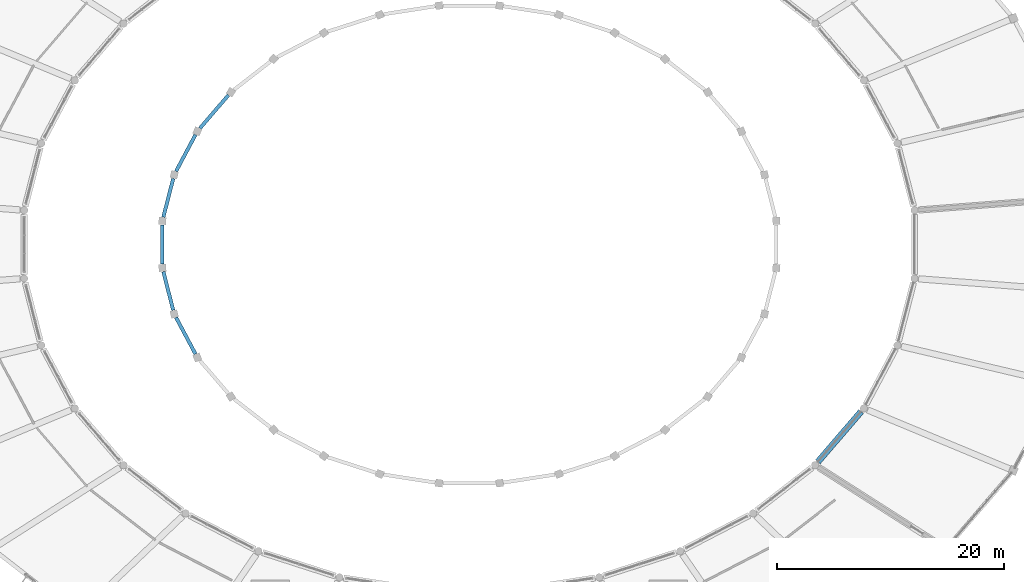
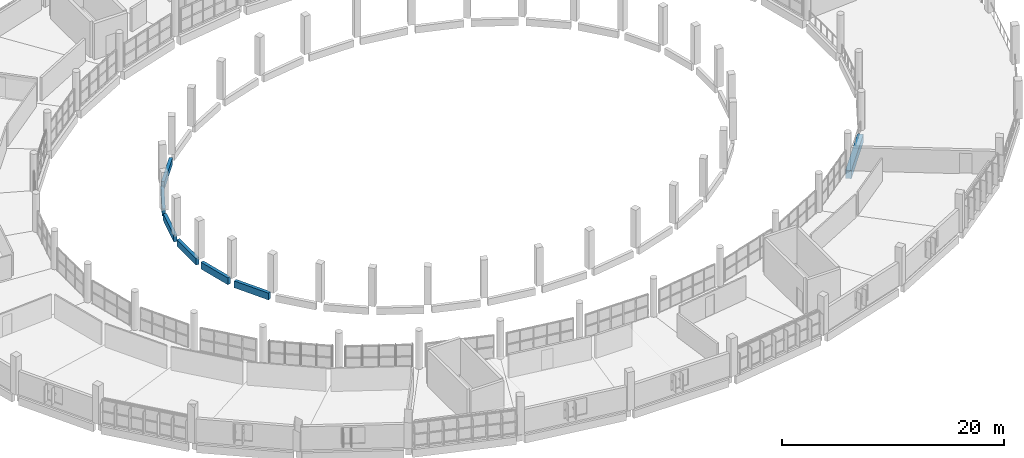
# One storey, part 18 of 142: 7 beams.
"""IFC4 building model written with IfcOpenShell, lengths in metres."""

import ifcopenshell
import ifcopenshell.guid

model = None  # the IFC model being written
_history = None  # IfcOwnerHistory: only IFC2X3 demands one
_inside = {}  # id of a spatial element -> (the spatial element, [elements in it])
_under = {}  # id of a project, library or spatial element -> (it, [spatial elements below it])
_declared = {}  # id of a project -> (the project, [libraries it declares])
_typed = {}  # id of a type object -> (the type object, [elements of that type])
_made_of = {}  # id of a material, layer set ... -> (it, [elements and type objects made of it])


def new_model(schema):
    """Start an empty IFC model of exactly this schema.

    Asked for "IFC4X3", IfcOpenShell would pick the latest addendum, in which some entities
    have other attributes; the version numbers below select the first issue.
    IFC2X3 requires an IfcOwnerHistory on every rooted entity: one is made here for all.
    """
    global model, _history
    if schema == "IFC4X3":
        model = ifcopenshell.file(schema_version=(4, 3, 0, 0))
    else:
        model = ifcopenshell.file(schema=schema)
    _inside.clear()
    _under.clear()
    _declared.clear()
    _typed.clear()
    _made_of.clear()
    _history = None
    if model.schema == "IFC2X3":
        org = make("IfcOrganization", Name="unknown")
        user = make(
            "IfcPersonAndOrganization",
            ThePerson=make("IfcPerson", FamilyName="unknown"),
            TheOrganization=org,
        )
        app = make(
            "IfcApplication",
            ApplicationDeveloper=org,
            Version="unknown",
            ApplicationFullName="unknown",
            ApplicationIdentifier="unknown",
        )
        _history = make(
            "IfcOwnerHistory",
            OwningUser=user,
            OwningApplication=app,
            ChangeAction="ADDED",
            CreationDate=0,
        )
    return model


def make(cls, **values):
    """One entity of the class cls with the attributes given. An attribute that is None is left unset."""
    return model.create_entity(
        cls, **{name: value for name, value in values.items() if value is not None}
    )


def rooted(cls, **values):
    """An entity with a GlobalId (a new one), such as an element, a storey or a relation."""
    return make(cls, GlobalId=ifcopenshell.guid.new(), OwnerHistory=_history, **values)


def si_unit(unit_type, name, prefix=None):
    """IfcSIUnit, for example si_unit("LENGTHUNIT", "METRE", prefix="MILLI")."""
    return make("IfcSIUnit", UnitType=unit_type, Prefix=prefix, Name=name)


def assignment(units):
    """IfcUnitAssignment: the units of a project."""
    return None if units is None else make("IfcUnitAssignment", Units=units)


def point(xyz):
    """IfcCartesianPoint."""
    return None if xyz is None else make("IfcCartesianPoint", Coordinates=xyz)


def direction(xyz):
    """IfcDirection."""
    return None if xyz is None else make("IfcDirection", DirectionRatios=xyz)


def frame(location, z_axis=None, x_axis=None):
    """IfcAxis2Placement3D, a coordinate frame: its origin and axes. An axis left out is left unset."""
    return make(
        "IfcAxis2Placement3D",
        Location=point(location),
        Axis=direction(z_axis),
        RefDirection=direction(x_axis),
    )


def frame_2d(location, x_axis=None):
    """IfcAxis2Placement2D, a coordinate frame in the plane: its origin and x axis."""
    return make(
        "IfcAxis2Placement2D", Location=point(location), RefDirection=direction(x_axis)
    )


def origin():
    """The frame at (0, 0, 0) with its axes left unset."""
    return frame((0.0, 0.0, 0.0))


def origin_2d():
    """The frame at (0, 0) in the plane with its x axis left unset."""
    return frame_2d((0.0, 0.0))


def place(relative_to, where):
    """IfcLocalPlacement: puts the frame where relative to a parent placement (None: the world)."""
    return make(
        "IfcLocalPlacement", PlacementRelTo=relative_to, RelativePlacement=where
    )


def context(
    kind, dimensions, precision=None, world=None, true_north=None, identifier=None
):
    """IfcGeometricRepresentationContext, for example the 3D "Model" context."""
    return make(
        "IfcGeometricRepresentationContext",
        ContextIdentifier=identifier,
        ContextType=kind,
        CoordinateSpaceDimension=dimensions,
        Precision=precision,
        WorldCoordinateSystem=world,
        TrueNorth=true_north,
    )


def subcontext(parent, identifier, kind, view, scale=None):
    """IfcGeometricRepresentationSubContext, for example "Body" below "Model"."""
    return make(
        "IfcGeometricRepresentationSubContext",
        ContextIdentifier=identifier,
        ContextType=kind,
        ParentContext=parent,
        TargetScale=scale,
        TargetView=view,
    )


def project(units=None, contexts=None):
    """IfcProject with its units and contexts."""
    return rooted(
        "IfcProject",
        Name="project",
        RepresentationContexts=contexts,
        UnitsInContext=assignment(units),
    )


def spatial(cls, under=None, at=None, **own):
    """A site, building, storey or space (cls), placed at a placement, below another one or the project."""
    s = rooted(cls, ObjectPlacement=at, **own)
    if under is not None:
        _under.setdefault(under.id(), (under, []))[1].append(s)
    return s


def profile(cls, at=None, kind="AREA", **sizes):
    """A parametric profile (cls). Its sizes go by their IFC names, for example OverallWidth=200.0."""
    return make(cls, ProfileType=kind, Position=at, **sizes)


def rectangle(**sizes):
    """IfcRectangleProfileDef."""
    return profile("IfcRectangleProfileDef", **sizes)


def extrude(swept, where, along, depth):
    """IfcExtrudedAreaSolid: the profile swept, set in the frame where, extruded along a direction by depth."""
    return make(
        "IfcExtrudedAreaSolid",
        SweptArea=swept,
        Position=where,
        ExtrudedDirection=direction(along),
        Depth=depth,
    )


def shape(context_of_items, identifier, shape_type, items):
    """IfcShapeRepresentation: the items that make up one representation, for example the "Body"."""
    return make(
        "IfcShapeRepresentation",
        ContextOfItems=context_of_items,
        RepresentationIdentifier=identifier,
        RepresentationType=shape_type,
        Items=items,
    )


def material(Name=None, Category=None):
    """IfcMaterial."""
    return make("IfcMaterial", Name=Name, Category=Category)


def material_profile(
    of_material, cross_section, Name=None, Category=None, Priority=None
):
    """IfcMaterialProfile: a cross section and its material."""
    return make(
        "IfcMaterialProfile",
        Name=Name,
        Material=of_material,
        Profile=cross_section,
        Priority=Priority,
        Category=Category,
    )


def profile_set(profiles, Name=None, composite=None):
    """IfcMaterialProfileSet."""
    return make(
        "IfcMaterialProfileSet",
        Name=Name,
        MaterialProfiles=profiles,
        CompositeProfile=composite,
    )


def made_of(thing, what):
    """Note that an element or type object is made of a material, layer set ...; save() writes the relation."""
    if what is not None:
        _made_of.setdefault(what.id(), (what, []))[1].append(thing)
    return thing


def type_object(cls, material=None, **own):
    """A type object (cls), such as IfcWallType, which elements share."""
    return made_of(rooted(cls, **own), material)


def element(
    cls,
    number,
    at=None,
    inside=None,
    cuts=None,
    type_object=None,
    material=None,
    context=None,
    identifier="Body",
    shape_type=None,
    held_by="IfcProductDefinitionShape",
    body=None,
    shapes=None,
    **own,
):
    """One element of the class cls, such as IfcWall. Its Tag is "e" and its number.

    at: its placement. inside: the storey or other place that contains it. cuts: it is an
    opening in that element (IfcRelVoidsElement). A single representation is given by context,
    identifier, shape_type and body (its items); several are given by shapes. held_by: the class
    of the entity that holds the representations. save() writes the other relations.
    """
    e = rooted(cls, Tag="e%d" % number, ObjectPlacement=at, **own)
    if body is not None:
        shapes = [shape(context, identifier, shape_type, body)]
    if shapes is not None:
        e.Representation = make(held_by, Representations=shapes)
    if inside is not None:
        _inside.setdefault(inside.id(), (inside, []))[1].append(e)
    if cuts is not None:
        rooted(
            "IfcRelVoidsElement", RelatingBuildingElement=cuts, RelatedOpeningElement=e
        )
    if type_object is not None:
        _typed.setdefault(type_object.id(), (type_object, []))[1].append(e)
    return made_of(e, material)


def aggregate(whole, parts):
    """IfcRelAggregates: a whole, such as a stair, and the parts it consists of."""
    return rooted("IfcRelAggregates", RelatingObject=whole, RelatedObjects=parts)


def save(model, path):
    """Write the relations noted so far, then the file.

    IfcRelAggregates (storeys below a building ...), IfcRelContainedInSpatialStructure (elements
    in a storey), IfcRelDefinesByType, IfcRelAssociatesMaterial and IfcRelDeclares: one each for
    every whole, place, type object, material and project.
    """
    for whole, parts in _under.values():
        aggregate(whole, parts)
    for where, things in _inside.values():
        rooted(
            "IfcRelContainedInSpatialStructure",
            RelatedElements=things,
            RelatingStructure=where,
        )
    for kind, things in _typed.values():
        rooted("IfcRelDefinesByType", RelatedObjects=things, RelatingType=kind)
    for what, things in _made_of.values():
        rooted("IfcRelAssociatesMaterial", RelatedObjects=things, RelatingMaterial=what)
    for by, libraries in _declared.values():
        rooted("IfcRelDeclares", RelatingContext=by, RelatedDefinitions=libraries)
    model.write(path)


model = new_model("IFC4")

# Units and contexts
model_context = context("Model", 3, precision=1e-05, world=origin(), true_north=direction((0.0, 1.0)))
body_context = subcontext(model_context, "Body", "Model", "MODEL_VIEW")
ifc_project = project(units=[si_unit("LENGTHUNIT", "METRE"), si_unit("AREAUNIT", "SQUARE_METRE"), si_unit("VOLUMEUNIT", "CUBIC_METRE"), si_unit("PLANEANGLEUNIT", "RADIAN"), si_unit("MASSUNIT", "GRAM", prefix="KILO")], contexts=[model_context])

# Site, building, storey
site_placement = place(None, origin())
site = spatial("IfcSite", under=ifc_project, at=site_placement, CompositionType="ELEMENT")
building_placement = place(site_placement, origin())
building = spatial("IfcBuilding", under=site, at=building_placement, Name="Corvandel Quay Wholesale Market", CompositionType="ELEMENT")
storey_placement = place(building_placement, frame((0.0, 0.0, 10.800048828125)))
storey = spatial("IfcBuildingStorey", under=building, at=storey_placement, Name="L02", CompositionType="ELEMENT", Elevation=10.800048828125)

# Beams
ifc_material = material(Name="Precast concrete C45/55", Category="concrete")
ifc_material_profile_1 = material_profile(ifc_material, rectangle(XDim=0.320068359375, YDim=0.75, at=origin_2d()), Name="PC-SPN-320x750")
ifc_profile_set_1 = profile_set([ifc_material_profile_1], Name="Precast concrete C45/55")
beam_type_1 = type_object("IfcBeamType", Name="Pavilion Precast Spandrel SP02 320x750", PredefinedType="SPANDREL", material=ifc_profile_set_1)
beam_1_placement = place(storey_placement, frame((92.80322265625, 55.125244140625, -0.695068359375), z_axis=(-0.651617210096, -0.758547962562, 0.0), x_axis=(0.758547962562, -0.651617210096, 0.0)))
element("IfcBeam", 1, at=beam_1_placement, inside=storey, type_object=beam_type_1, Name="Beam BM-0161", PredefinedType="SPANDREL", context=body_context, shape_type="SweptSolid", body=[
    extrude(rectangle(XDim=0.320068359375, YDim=0.75, at=origin_2d()), origin(), (0.0, 0.0, 1.0), 3.844970703125),
])
beam_2_placement = place(storey_placement, frame((89.910888671875, 51.642578125, -0.695068359375), z_axis=(-0.469951075092, -0.882692464576, 0.0), x_axis=(0.882692464576, -0.469951075092, 0.0)))
element("IfcBeam", 2, at=beam_2_placement, inside=storey, type_object=beam_type_1, Name="Beam BM-0174", PredefinedType="SPANDREL", context=body_context, shape_type="SweptSolid", body=[
    extrude(rectangle(XDim=0.320068359375, YDim=0.75, at=origin_2d()), origin(), (0.0, 0.0, 1.0), 3.64013671875),
])
beam_3_placement = place(storey_placement, frame((87.952392578125, 47.790771484375, -0.695068359375), z_axis=(-0.247853055585, -0.968797637712, 0.0), x_axis=(0.968797637712, -0.247853055585, 0.0)))
element("IfcBeam", 3, at=beam_3_placement, inside=storey, type_object=beam_type_1, Name="Beam BM-0187", PredefinedType="SPANDREL", context=body_context, shape_type="SweptSolid", body=[
    extrude(rectangle(XDim=0.320068359375, YDim=0.75, at=origin_2d()), origin(), (0.0, 0.0, 1.0), 3.497802734375),
])
beam_4_placement = place(storey_placement, frame((87.0, 43.722900390625, -0.695068359375), z_axis=(0.0, -1.0, 0.0), x_axis=(1.0, 0.0, 0.0)))
element("IfcBeam", 4, at=beam_4_placement, inside=storey, type_object=beam_type_1, Name="Beam BM-0200", PredefinedType="SPANDREL", context=body_context, shape_type="SweptSolid", body=[
    extrude(rectangle(XDim=0.320068359375, YDim=0.75, at=origin_2d()), origin(), (0.0, 0.0, 1.0), 3.44580078125),
])
beam_5_placement = place(storey_placement, frame((87.08544921875, 39.597900390625, -0.695068359375), z_axis=(0.247853055585, -0.968797637712, 0.0), x_axis=(0.968797637712, 0.247853055585, 0.0)))
element("IfcBeam", 5, at=beam_5_placement, inside=storey, type_object=beam_type_1, Name="Beam BM-0212", PredefinedType="SPANDREL", context=body_context, shape_type="SweptSolid", body=[
    extrude(rectangle(XDim=0.320068359375, YDim=0.75, at=origin_2d()), origin(), (0.0, 0.0, 1.0), 3.497802734375),
])
beam_6_placement = place(storey_placement, frame((88.2001953125, 35.570556640625, -0.695068359375), z_axis=(0.469951075092, -0.882692464576, 0.0), x_axis=(0.882692464576, 0.469951075092, 0.0)))
element("IfcBeam", 6, at=beam_6_placement, inside=storey, type_object=beam_type_1, Name="Beam BM-0224", PredefinedType="SPANDREL", context=body_context, shape_type="SweptSolid", body=[
    extrude(rectangle(XDim=0.320068359375, YDim=0.75, at=origin_2d()), origin(), (0.0, 0.0, 1.0), 3.64013671875),
])
ifc_material_profile_2 = material_profile(ifc_material, rectangle(XDim=0.550048828125, YDim=0.89990234375, at=origin_2d()), Name="PC-GIR-550x900")
ifc_profile_set_2 = profile_set([ifc_material_profile_2], Name="Precast concrete C45/55")
beam_type_2 = type_object("IfcBeamType", Name="Produce Hall Radial Girder G03 550x900", PredefinedType="USERDEFINED", material=ifc_profile_set_2)
beam_7_placement = place(storey_placement, frame((144.651123046875, 22.86962890625, -0.77001953125), z_axis=(0.651521537179, 0.758630138205, 0.0), x_axis=(-0.758630138205, 0.651521537179, 0.0)))
element("IfcBeam", 7, at=beam_7_placement, inside=storey, type_object=beam_type_2, Name="Beam BM-0352", ObjectType="GIRDER", PredefinedType="USERDEFINED", context=body_context, shape_type="SweptSolid", body=[
    extrude(rectangle(XDim=0.550048828125, YDim=0.89990234375, at=origin_2d()), origin(), (0.0, 0.0, 1.0), 5.835205078125),
])

save(model, "model.ifc")
